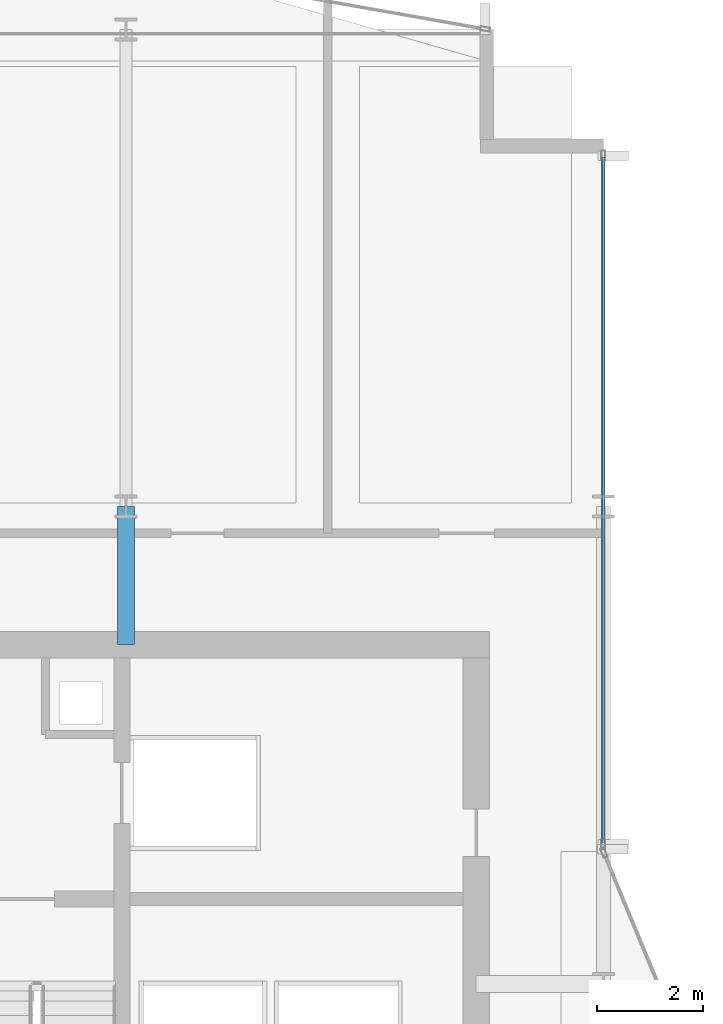
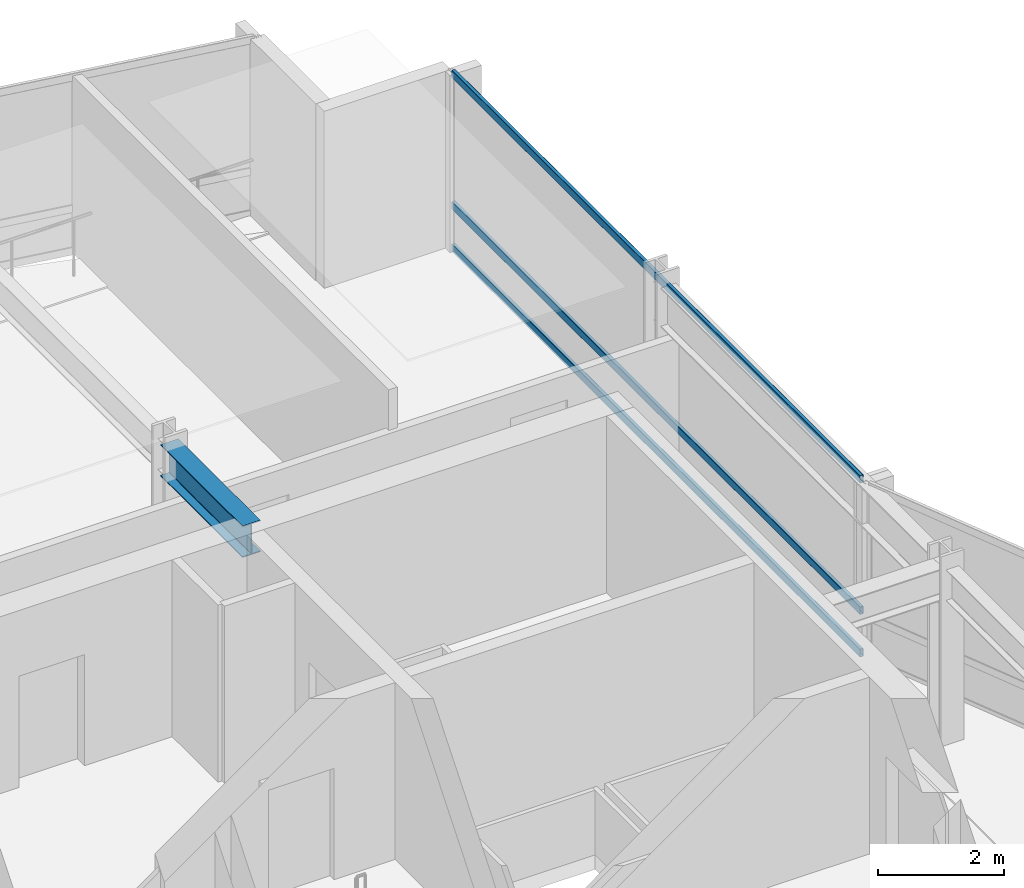
# One storey, part 18 of 28: 3 members, 1 beam, 1 element without a shape of its own.
"""IFC4 building model written with IfcOpenShell, lengths in metres."""

import ifcopenshell
import ifcopenshell.guid

model = None  # the IFC model being written
_history = None  # IfcOwnerHistory: only IFC2X3 demands one
_inside = {}  # id of a spatial element -> (the spatial element, [elements in it])
_under = {}  # id of a project, library or spatial element -> (it, [spatial elements below it])
_declared = {}  # id of a project -> (the project, [libraries it declares])
_typed = {}  # id of a type object -> (the type object, [elements of that type])
_made_of = {}  # id of a material, layer set ... -> (it, [elements and type objects made of it])


def new_model(schema):
    """Start an empty IFC model of exactly this schema.

    Asked for "IFC4X3", IfcOpenShell would pick the latest addendum, in which some entities
    have other attributes; the version numbers below select the first issue.
    IFC2X3 requires an IfcOwnerHistory on every rooted entity: one is made here for all.
    """
    global model, _history
    if schema == "IFC4X3":
        model = ifcopenshell.file(schema_version=(4, 3, 0, 0))
    else:
        model = ifcopenshell.file(schema=schema)
    _inside.clear()
    _under.clear()
    _declared.clear()
    _typed.clear()
    _made_of.clear()
    _history = None
    if model.schema == "IFC2X3":
        org = make("IfcOrganization", Name="unknown")
        user = make(
            "IfcPersonAndOrganization",
            ThePerson=make("IfcPerson", FamilyName="unknown"),
            TheOrganization=org,
        )
        app = make(
            "IfcApplication",
            ApplicationDeveloper=org,
            Version="unknown",
            ApplicationFullName="unknown",
            ApplicationIdentifier="unknown",
        )
        _history = make(
            "IfcOwnerHistory",
            OwningUser=user,
            OwningApplication=app,
            ChangeAction="ADDED",
            CreationDate=0,
        )
    return model


def make(cls, **values):
    """One entity of the class cls with the attributes given. An attribute that is None is left unset."""
    return model.create_entity(
        cls, **{name: value for name, value in values.items() if value is not None}
    )


def rooted(cls, **values):
    """An entity with a GlobalId (a new one), such as an element, a storey or a relation."""
    return make(cls, GlobalId=ifcopenshell.guid.new(), OwnerHistory=_history, **values)


def si_unit(unit_type, name, prefix=None):
    """IfcSIUnit, for example si_unit("LENGTHUNIT", "METRE", prefix="MILLI")."""
    return make("IfcSIUnit", UnitType=unit_type, Prefix=prefix, Name=name)


def assignment(units):
    """IfcUnitAssignment: the units of a project."""
    return None if units is None else make("IfcUnitAssignment", Units=units)


def point(xyz):
    """IfcCartesianPoint."""
    return None if xyz is None else make("IfcCartesianPoint", Coordinates=xyz)


def direction(xyz):
    """IfcDirection."""
    return None if xyz is None else make("IfcDirection", DirectionRatios=xyz)


def frame(location, z_axis=None, x_axis=None):
    """IfcAxis2Placement3D, a coordinate frame: its origin and axes. An axis left out is left unset."""
    return make(
        "IfcAxis2Placement3D",
        Location=point(location),
        Axis=direction(z_axis),
        RefDirection=direction(x_axis),
    )


def frame_2d(location, x_axis=None):
    """IfcAxis2Placement2D, a coordinate frame in the plane: its origin and x axis."""
    return make(
        "IfcAxis2Placement2D", Location=point(location), RefDirection=direction(x_axis)
    )


def origin():
    """The frame at (0, 0, 0) with its axes left unset."""
    return frame((0.0, 0.0, 0.0))


def origin_2d():
    """The frame at (0, 0) in the plane with its x axis left unset."""
    return frame_2d((0.0, 0.0))


def place(relative_to, where):
    """IfcLocalPlacement: puts the frame where relative to a parent placement (None: the world)."""
    return make(
        "IfcLocalPlacement", PlacementRelTo=relative_to, RelativePlacement=where
    )


def context(
    kind, dimensions, precision=None, world=None, true_north=None, identifier=None
):
    """IfcGeometricRepresentationContext, for example the 3D "Model" context."""
    return make(
        "IfcGeometricRepresentationContext",
        ContextIdentifier=identifier,
        ContextType=kind,
        CoordinateSpaceDimension=dimensions,
        Precision=precision,
        WorldCoordinateSystem=world,
        TrueNorth=true_north,
    )


def subcontext(parent, identifier, kind, view, scale=None):
    """IfcGeometricRepresentationSubContext, for example "Body" below "Model"."""
    return make(
        "IfcGeometricRepresentationSubContext",
        ContextIdentifier=identifier,
        ContextType=kind,
        ParentContext=parent,
        TargetScale=scale,
        TargetView=view,
    )


def project(units=None, contexts=None):
    """IfcProject with its units and contexts."""
    return rooted(
        "IfcProject",
        Name="project",
        RepresentationContexts=contexts,
        UnitsInContext=assignment(units),
    )


def spatial(cls, under=None, at=None, **own):
    """A site, building, storey or space (cls), placed at a placement, below another one or the project."""
    s = rooted(cls, ObjectPlacement=at, **own)
    if under is not None:
        _under.setdefault(under.id(), (under, []))[1].append(s)
    return s


def profile(cls, at=None, kind="AREA", **sizes):
    """A parametric profile (cls). Its sizes go by their IFC names, for example OverallWidth=200.0."""
    return make(cls, ProfileType=kind, Position=at, **sizes)


def hollow_rectangle(**sizes):
    """IfcRectangleHollowProfileDef."""
    return profile("IfcRectangleHollowProfileDef", **sizes)


def i_section(**sizes):
    """IfcIShapeProfileDef."""
    return profile("IfcIShapeProfileDef", **sizes)


def extrude(swept, where, along, depth):
    """IfcExtrudedAreaSolid: the profile swept, set in the frame where, extruded along a direction by depth."""
    return make(
        "IfcExtrudedAreaSolid",
        SweptArea=swept,
        Position=where,
        ExtrudedDirection=direction(along),
        Depth=depth,
    )


def shape(context_of_items, identifier, shape_type, items):
    """IfcShapeRepresentation: the items that make up one representation, for example the "Body"."""
    return make(
        "IfcShapeRepresentation",
        ContextOfItems=context_of_items,
        RepresentationIdentifier=identifier,
        RepresentationType=shape_type,
        Items=items,
    )


def material(Name=None, Category=None):
    """IfcMaterial."""
    return make("IfcMaterial", Name=Name, Category=Category)


def layer(
    of_material, thickness, ventilated=None, Name=None, Category=None, Priority=None
):
    """IfcMaterialLayer: one layer of a wall or slab, of a material (None: an air gap)."""
    return make(
        "IfcMaterialLayer",
        Material=of_material,
        LayerThickness=thickness,
        IsVentilated=ventilated,
        Name=Name,
        Category=Category,
        Priority=Priority,
    )


def layer_set(layers, Name=None):
    """IfcMaterialLayerSet."""
    return make("IfcMaterialLayerSet", MaterialLayers=layers, LayerSetName=Name)


def material_profile(
    of_material, cross_section, Name=None, Category=None, Priority=None
):
    """IfcMaterialProfile: a cross section and its material."""
    return make(
        "IfcMaterialProfile",
        Name=Name,
        Material=of_material,
        Profile=cross_section,
        Priority=Priority,
        Category=Category,
    )


def profile_set(profiles, Name=None, composite=None):
    """IfcMaterialProfileSet."""
    return make(
        "IfcMaterialProfileSet",
        Name=Name,
        MaterialProfiles=profiles,
        CompositeProfile=composite,
    )


def made_of(thing, what):
    """Note that an element or type object is made of a material, layer set ...; save() writes the relation."""
    if what is not None:
        _made_of.setdefault(what.id(), (what, []))[1].append(thing)
    return thing


def type_object(cls, material=None, **own):
    """A type object (cls), such as IfcWallType, which elements share."""
    return made_of(rooted(cls, **own), material)


def element(
    cls,
    number,
    at=None,
    inside=None,
    cuts=None,
    type_object=None,
    material=None,
    context=None,
    identifier="Body",
    shape_type=None,
    held_by="IfcProductDefinitionShape",
    body=None,
    shapes=None,
    **own,
):
    """One element of the class cls, such as IfcWall. Its Tag is "e" and its number.

    at: its placement. inside: the storey or other place that contains it. cuts: it is an
    opening in that element (IfcRelVoidsElement). A single representation is given by context,
    identifier, shape_type and body (its items); several are given by shapes. held_by: the class
    of the entity that holds the representations. save() writes the other relations.
    """
    e = rooted(cls, Tag="e%d" % number, ObjectPlacement=at, **own)
    if body is not None:
        shapes = [shape(context, identifier, shape_type, body)]
    if shapes is not None:
        e.Representation = make(held_by, Representations=shapes)
    if inside is not None:
        _inside.setdefault(inside.id(), (inside, []))[1].append(e)
    if cuts is not None:
        rooted(
            "IfcRelVoidsElement", RelatingBuildingElement=cuts, RelatedOpeningElement=e
        )
    if type_object is not None:
        _typed.setdefault(type_object.id(), (type_object, []))[1].append(e)
    return made_of(e, material)


def aggregate(whole, parts):
    """IfcRelAggregates: a whole, such as a stair, and the parts it consists of."""
    return rooted("IfcRelAggregates", RelatingObject=whole, RelatedObjects=parts)


def save(model, path):
    """Write the relations noted so far, then the file.

    IfcRelAggregates (storeys below a building ...), IfcRelContainedInSpatialStructure (elements
    in a storey), IfcRelDefinesByType, IfcRelAssociatesMaterial and IfcRelDeclares: one each for
    every whole, place, type object, material and project.
    """
    for whole, parts in _under.values():
        aggregate(whole, parts)
    for where, things in _inside.values():
        rooted(
            "IfcRelContainedInSpatialStructure",
            RelatedElements=things,
            RelatingStructure=where,
        )
    for kind, things in _typed.values():
        rooted("IfcRelDefinesByType", RelatedObjects=things, RelatingType=kind)
    for what, things in _made_of.values():
        rooted("IfcRelAssociatesMaterial", RelatedObjects=things, RelatingMaterial=what)
    for by, libraries in _declared.values():
        rooted("IfcRelDeclares", RelatingContext=by, RelatedDefinitions=libraries)
    model.write(path)


model = new_model("IFC4")

# Units and contexts
model_context = context("Model", 3, precision=1e-05, world=origin(), true_north=direction((0.0, 1.0)))
body_context = subcontext(model_context, "Body", "Model", "MODEL_VIEW")
ifc_project = project(units=[si_unit("LENGTHUNIT", "METRE"), si_unit("AREAUNIT", "SQUARE_METRE"), si_unit("VOLUMEUNIT", "CUBIC_METRE"), si_unit("PLANEANGLEUNIT", "RADIAN"), si_unit("MASSUNIT", "GRAM", prefix="KILO")], contexts=[model_context])

# Site, building, storey
site_placement = place(None, origin())
site = spatial("IfcSite", under=ifc_project, at=site_placement, CompositionType="ELEMENT")
building_placement = place(site_placement, origin())
building = spatial("IfcBuilding", under=site, at=building_placement, Name="Solvaryn Broadcast Tower", CompositionType="ELEMENT")
storey_placement = place(building_placement, frame((0.0, 0.0, 150.699951171875)))
storey = spatial("IfcBuildingStorey", under=building, at=storey_placement, Name="L37", CompositionType="ELEMENT", Elevation=150.699951171875)

# Beam
ifc_material_1 = material(Name="Steel ASTM A992 Grade 50", Category="steel")
ifc_material_profile_1 = material_profile(ifc_material_1, i_section(OverallWidth=0.323974609375, OverallDepth=0.611083984375, WebThickness=0.0126953125, FlangeThickness=0.01904296875, FilletRadius=0.014892578125, at=origin_2d()))
ifc_profile_set_1 = profile_set([ifc_material_profile_1], Name="Steel ASTM A992 Grade 50")
beam_type = type_object("IfcBeamType", Name="BM-B1-W24X104", PredefinedType="BEAM", material=ifc_profile_set_1)
beam_placement = place(storey_placement, frame((18.0, 42.39990234375, 3.114501953125), z_axis=(0.0, 1.0, 0.0), x_axis=(-1.0, 0.0, 0.0)))
element("IfcBeam", 1, at=beam_placement, inside=storey, type_object=beam_type, Name="L37 Core Tie Beam CTW3", PredefinedType="BEAM", context=body_context, shape_type="SweptSolid", body=[
    extrude(i_section(OverallWidth=0.323974609375, OverallDepth=0.611083984375, WebThickness=0.0126953125, FlangeThickness=0.01904296875, FilletRadius=0.014892578125, at=origin_2d()), origin(), (0.0, 0.0, 1.0), 2.60009765625),
])

# Curtain wall, members
ifc_material_2 = material(Name="Aluminium and Terracotta Unitised Curtain Wall", Category="masonry")
ifc_layer = layer(ifc_material_2, 0.199951171875)
ifc_layer_set = layer_set([ifc_layer], Name="CW-SYS2-LOWMID")
curtain_wall_type = type_object("IfcCurtainWallType", Name="CW-SYS2-LOWMID", PredefinedType="NOTDEFINED", material=ifc_layer_set)
curtain_wall_placement = place(storey_placement, origin())
curtain_wall = element("IfcCurtainWall", 2, at=curtain_wall_placement, inside=storey, type_object=curtain_wall_type, Name="L37 Curtain Wall IV", PredefinedType="NOTDEFINED")
ifc_material_3 = material(Name="Anodised Aluminium 6063-T6", Category="aluminium")
ifc_material_profile_2 = material_profile(ifc_material_3, hollow_rectangle(XDim=0.06494140625, YDim=0.14990234375, WallThickness=0.00390625, InnerFilletRadius=0.00390625, OuterFilletRadius=0.008056640625, at=origin_2d()))
ifc_profile_set_2 = profile_set([ifc_material_profile_2], Name="Anodised Aluminium 6063-T6")
member_type = type_object("IfcMemberType", Name="CW-TRN-150", PredefinedType="USERDEFINED", material=ifc_profile_set_2)
member_1_placement = place(storey_placement, frame((27.0, 51.590087890625, 0.030029296875), z_axis=(0.0, -1.0, 0.0), x_axis=(1.0, 0.0, 0.0)))
member_1 = element("IfcMember", 3, at=member_1_placement, type_object=member_type, Name="CWS2 transom 1.1", ObjectType="TRANSOM", PredefinedType="USERDEFINED", context=body_context, shape_type="SweptSolid", body=[
    extrude(hollow_rectangle(XDim=0.06494140625, YDim=0.14990234375, WallThickness=0.00390625, InnerFilletRadius=0.00390625, OuterFilletRadius=0.008056640625, at=origin_2d()), origin(), (0.0, 0.0, 1.0), 12.93017578125),
])
member_2_placement = place(storey_placement, frame((27.0, 51.590087890625, 0.85009765625), z_axis=(0.0, -1.0, 0.0), x_axis=(1.0, 0.0, 0.0)))
member_2 = element("IfcMember", 4, at=member_2_placement, type_object=member_type, Name="CWS2 transom 1.2", ObjectType="TRANSOM", PredefinedType="USERDEFINED", context=body_context, shape_type="SweptSolid", body=[
    extrude(hollow_rectangle(XDim=0.06494140625, YDim=0.14990234375, WallThickness=0.00390625, InnerFilletRadius=0.00390625, OuterFilletRadius=0.008056640625, at=origin_2d()), origin(), (0.0, 0.0, 1.0), 12.93017578125),
])
member_3_placement = place(storey_placement, frame((27.0, 51.590087890625, 3.39013671875), z_axis=(0.0, -1.0, 0.0), x_axis=(1.0, 0.0, 0.0)))
member_3 = element("IfcMember", 5, at=member_3_placement, type_object=member_type, Name="CWS2 transom 1.3", ObjectType="TRANSOM", PredefinedType="USERDEFINED", context=body_context, shape_type="SweptSolid", body=[
    extrude(hollow_rectangle(XDim=0.06494140625, YDim=0.14990234375, WallThickness=0.00390625, InnerFilletRadius=0.00390625, OuterFilletRadius=0.008056640625, at=origin_2d()), origin(), (0.0, 0.0, 1.0), 12.93017578125),
])
aggregate(curtain_wall, [member_1, member_2, member_3])

save(model, "model.ifc")
